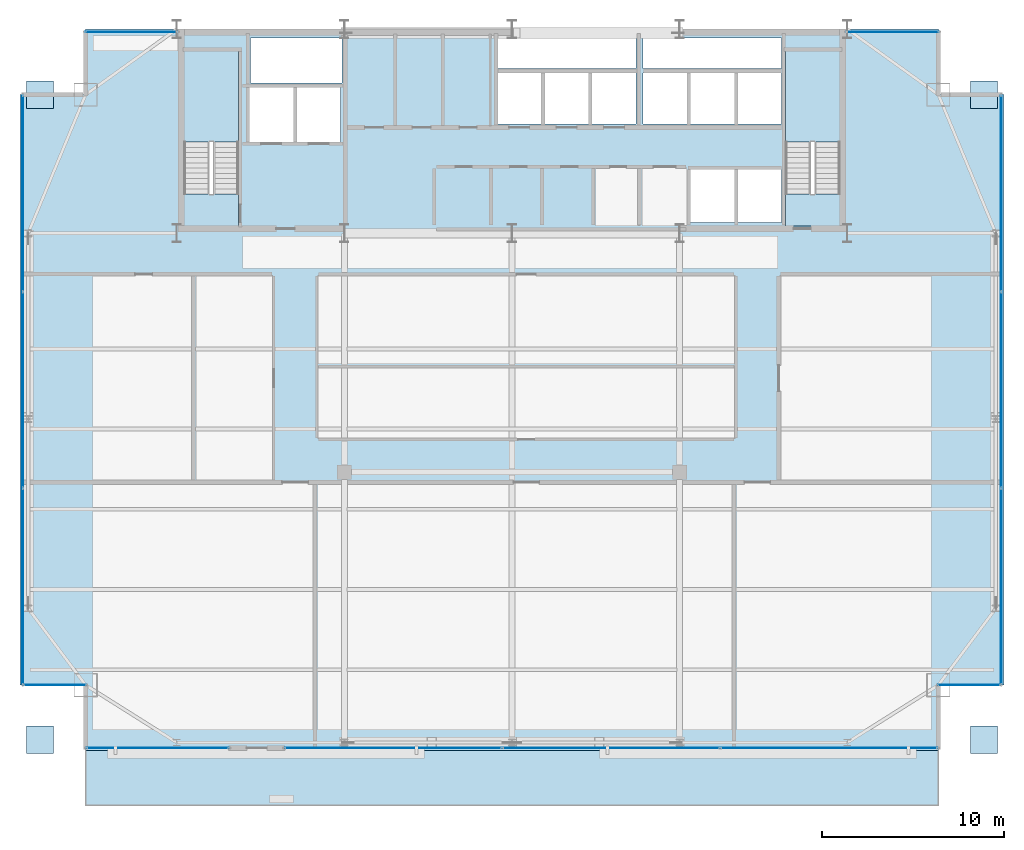
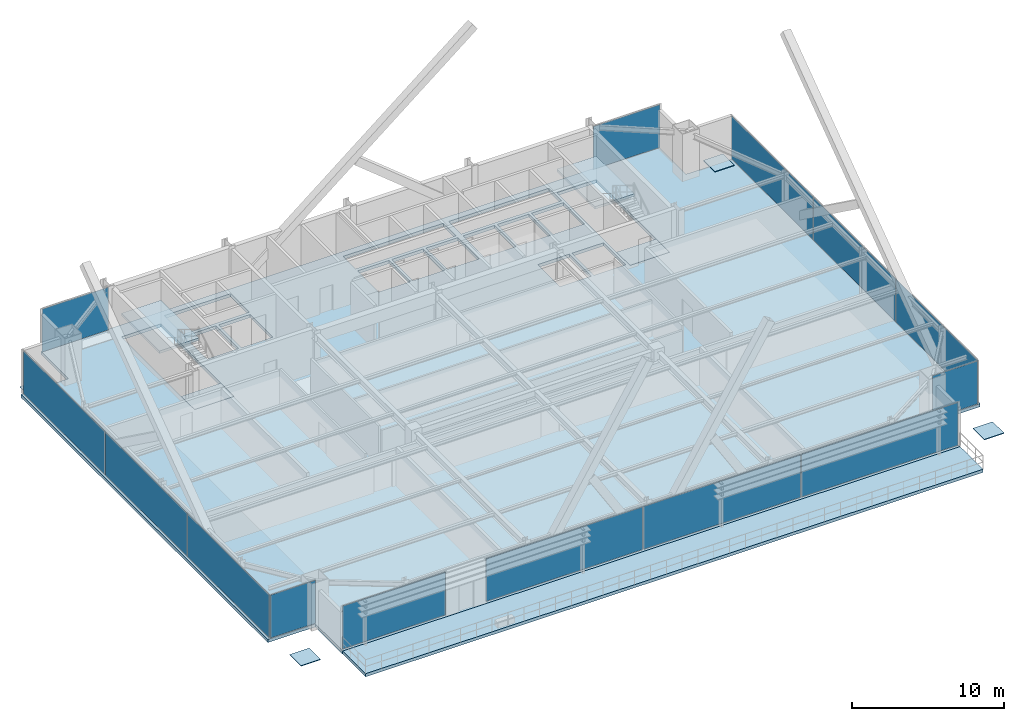
# One storey, part 26 of 33: 18 plates, 6 slabs, 10 elements without a shape of their own.
"""IFC4 building model written with IfcOpenShell, lengths in metres."""

from ifc_helpers import new_model, si_unit, direction, frame, origin, origin_2d, place, context, subcontext, project, spatial, polyline, rectangle, outline, extrude, source, transform, mapped, material, layer, layer_set, type_object, type_shapes, element, aggregate, save


model = new_model("IFC4")

# Units and contexts
model_context = context("Model", 3, precision=1e-05, world=origin(), true_north=direction((0.0, 1.0)))
body_context = subcontext(model_context, "Body", "Model", "MODEL_VIEW")
ifc_project = project(units=[si_unit("LENGTHUNIT", "METRE"), si_unit("AREAUNIT", "SQUARE_METRE"), si_unit("VOLUMEUNIT", "CUBIC_METRE"), si_unit("PLANEANGLEUNIT", "RADIAN"), si_unit("MASSUNIT", "GRAM", prefix="KILO")], contexts=[model_context])

# Site, building, storey
site_placement = place(None, origin())
site = spatial("IfcSite", under=ifc_project, at=site_placement, CompositionType="ELEMENT")
building_placement = place(site_placement, origin())
building = spatial("IfcBuilding", under=site, at=building_placement, Name="Varnel Quay Broadcast Tower", CompositionType="ELEMENT")
storey_placement = place(building_placement, frame((0.0, 0.0, 145.800048828125)))
storey = spatial("IfcBuildingStorey", under=building, at=storey_placement, Name="L35", CompositionType="ELEMENT", Elevation=145.800048828125)

# Slabs
ifc_material_1 = material(Name="Concrete CSA A23.3 C40/50", Category="concrete")
ifc_layer_1 = layer(ifc_material_1, 0.25, Name="Concrete CSA A23.3 C40/50")
ifc_layer_set_1 = layer_set([ifc_layer_1], Name="Concrete CSA A23.3 C40/50")
slab_type_1 = type_object("IfcSlabType", Name="Slab_ExtTerrace250", PredefinedType="FLOOR", material=ifc_layer_set_1)
slab_1_placement = place(storey_placement, frame((0.0, 0.0, -0.25)))
element("IfcSlab", 1, at=slab_1_placement, inside=storey, type_object=slab_type_1, Name="L35 Planted Lobe Terrace Slab 1", PredefinedType="FLOOR", context=body_context, shape_type="SweptSolid", body=[
    extrude(outline(polyline([(10.60009765625, 4.199951171875), (57.39990234375, 4.199951171875), (57.39990234375, 7.199951171875), (10.60009765625, 7.199951171875), (10.60009765625, 4.199951171875)])), origin(), (0.0, 0.0, 1.0), 0.25),
])
ifc_material_2 = material(Name="Concrete CSA A23.3 C50/60", Category="concrete")
ifc_layer_2 = layer(ifc_material_2, 0.25, Name="Concrete CSA A23.3 C50/60")
ifc_layer_set_2 = layer_set([ifc_layer_2], Name="Concrete CSA A23.3 C50/60")
slab_type_2 = type_object("IfcSlabType", Name="Slab_Floor250", PredefinedType="FLOOR", material=ifc_layer_set_2)
slab_2_placement = place(storey_placement, frame((0.0, 0.0, -0.25)))
element("IfcSlab", 2, at=slab_2_placement, inside=storey, type_object=slab_type_2, Name="L35 Structural Slab", PredefinedType="FLOOR", context=body_context, shape_type="SweptSolid", body=[
    extrude(outline(polyline([(10.60009765625, 7.199951171875), (57.39990234375, 7.199951171875), (57.39990234375, 10.800048828125), (61.0, 10.800048828125), (61.0, 43.199951171875), (57.39990234375, 43.199951171875), (57.39990234375, 46.800048828125), (10.60009765625, 46.800048828125), (10.60009765625, 43.199951171875), (7.0, 43.199951171875), (7.0, 10.800048828125), (10.60009765625, 10.800048828125), (10.60009765625, 7.199951171875)]), holes=[polyline([(19.0, 36.0), (16.0, 36.0), (16.0, 45.60009765625), (19.0, 45.60009765625), (19.0, 36.0)]), polyline([(19.60009765625, 43.60009765625), (22.0, 43.60009765625), (22.0, 40.60009765625), (19.60009765625, 40.60009765625), (19.60009765625, 43.60009765625)]), polyline([(22.199951171875, 43.60009765625), (24.60009765625, 43.60009765625), (24.60009765625, 40.60009765625), (22.199951171875, 40.60009765625), (22.199951171875, 43.60009765625)]), polyline([(33.199951171875, 44.39990234375), (35.60009765625, 44.39990234375), (35.60009765625, 41.60009765625), (33.199951171875, 41.60009765625), (33.199951171875, 44.39990234375)]), polyline([(35.800048828125, 44.39990234375), (38.199951171875, 44.39990234375), (38.199951171875, 41.60009765625), (35.800048828125, 41.60009765625), (35.800048828125, 44.39990234375)]), polyline([(38.39990234375, 44.39990234375), (40.800048828125, 44.39990234375), (40.800048828125, 41.60009765625), (38.39990234375, 41.60009765625), (38.39990234375, 44.39990234375)]), polyline([(19.64990234375, 46.300048828125), (24.679931640625, 46.300048828125), (24.679931640625, 43.85009765625), (19.64990234375, 43.85009765625), (19.64990234375, 46.300048828125)]), polyline([(33.199951171875, 46.300048828125), (40.800048828125, 46.300048828125), (40.800048828125, 44.64990234375), (33.199951171875, 44.64990234375), (33.199951171875, 46.300048828125)]), polyline([(43.800048828125, 39.10009765625), (46.199951171875, 39.10009765625), (46.199951171875, 36.199951171875), (43.800048828125, 36.199951171875), (43.800048828125, 39.10009765625)]), polyline([(46.39990234375, 39.10009765625), (48.800048828125, 39.10009765625), (48.800048828125, 36.199951171875), (46.39990234375, 36.199951171875), (46.39990234375, 39.10009765625)]), polyline([(49.0, 36.0), (49.0, 45.60009765625), (52.0, 45.60009765625), (52.0, 36.0), (49.0, 36.0)]), polyline([(41.199951171875, 44.39990234375), (43.60009765625, 44.39990234375), (43.60009765625, 41.60009765625), (41.199951171875, 41.60009765625), (41.199951171875, 44.39990234375)]), polyline([(43.800048828125, 44.39990234375), (46.199951171875, 44.39990234375), (46.199951171875, 41.60009765625), (43.800048828125, 41.60009765625), (43.800048828125, 44.39990234375)]), polyline([(46.39990234375, 44.39990234375), (48.800048828125, 44.39990234375), (48.800048828125, 41.60009765625), (46.39990234375, 41.60009765625), (46.39990234375, 44.39990234375)]), polyline([(41.199951171875, 46.300048828125), (48.800048828125, 46.300048828125), (48.800048828125, 44.64990234375), (41.199951171875, 44.64990234375), (41.199951171875, 46.300048828125)])]), origin(), (0.0, 0.0, 1.0), 0.25),
])
ifc_layer_3 = layer(ifc_material_2, 0.25, Name="Concrete CSA A23.3 C50/60")
ifc_layer_set_3 = layer_set([ifc_layer_3], Name="Concrete CSA A23.3 C50/60")
slab_type_3 = type_object("IfcSlabType", Name="Slab_StairFloorLanding250", PredefinedType="FLOOR", material=ifc_layer_set_3)
slab_3_placement = place(storey_placement, frame((0.0, 0.0, -0.25)))
element("IfcSlab", 3, at=slab_3_placement, inside=storey, type_object=slab_type_3, Name="L35 ST-01 Structural Floor Landing Slab", PredefinedType="FLOOR", context=body_context, shape_type="SweptSolid", body=[
    extrude(outline(polyline([(19.0, 36.0), (19.0, 37.75), (16.0, 37.75), (16.0, 36.0), (19.0, 36.0)])), origin(), (0.0, 0.0, 1.0), 0.25),
])
slab_4_placement = place(storey_placement, frame((0.0, 0.0, -0.25)))
element("IfcSlab", 4, at=slab_4_placement, inside=storey, type_object=slab_type_3, Name="L35 ST-02 Structural Floor Landing Slab", PredefinedType="FLOOR", context=body_context, shape_type="SweptSolid", body=[
    extrude(outline(polyline([(52.0, 36.0), (52.0, 37.75), (49.0, 37.75), (49.0, 36.0), (52.0, 36.0)])), origin(), (0.0, 0.0, 1.0), 0.25),
])

# Stair, slab
ifc_material_3 = material(Name="Precast Structural Concrete C40/50", Category="concrete")
stair_type_1 = type_object("IfcStairType", Name="Stair_ST-01", PredefinedType="HALF_TURN_STAIR", material=ifc_material_3)
stair_1_placement = place(storey_placement, origin())
stair_1 = element("IfcStair", 5, at=stair_1_placement, inside=storey, type_object=stair_type_1, Name="L35 West Core Exit Stair 1", PredefinedType="HALF_TURN_STAIR")
ifc_layer_4 = layer(ifc_material_3, 0.199951171875, Name="Precast Structural Concrete C40/50")
ifc_layer_set_4 = layer_set([ifc_layer_4], Name="Precast Structural Concrete C40/50")
slab_type_4 = type_object("IfcSlabType", Name="Slab_StairLanding200", PredefinedType="LANDING", material=ifc_layer_set_4)
slab_5_placement = place(storey_placement, frame((0.0, 0.0, 1.699951171875)))
slab_5 = element("IfcSlab", 6, at=slab_5_placement, type_object=slab_type_4, Name="ST-01 landing 1", PredefinedType="LANDING", context=body_context, shape_type="SweptSolid", body=[
    extrude(outline(polyline([(19.0, 40.60009765625), (19.0, 45.60009765625), (16.0, 45.60009765625), (16.0, 40.60009765625), (19.0, 40.60009765625)])), origin(), (0.0, 0.0, 1.0), 0.199951171875),
])
aggregate(stair_1, [slab_5])

stair_type_2 = type_object("IfcStairType", Name="Stair_ST-02", PredefinedType="HALF_TURN_STAIR", material=ifc_material_3)
stair_2_placement = place(storey_placement, origin())
stair_2 = element("IfcStair", 7, at=stair_2_placement, inside=storey, type_object=stair_type_2, Name="L35 East Core Exit Stair 2", PredefinedType="HALF_TURN_STAIR")
slab_6_placement = place(storey_placement, frame((0.0, 0.0, 1.699951171875)))
slab_6 = element("IfcSlab", 8, at=slab_6_placement, type_object=slab_type_4, Name="ST-02 landing 1", PredefinedType="LANDING", context=body_context, shape_type="SweptSolid", body=[
    extrude(outline(polyline([(52.0, 40.60009765625), (52.0, 45.60009765625), (49.0, 45.60009765625), (49.0, 40.60009765625), (52.0, 40.60009765625)])), origin(), (0.0, 0.0, 1.0), 0.199951171875),
])
aggregate(stair_2, [slab_6])

# Plates
ifc_material_4 = material(Name="Structural Steel CSA G40.21 350WT", Category="steel")
ifc_layer_5 = layer(ifc_material_4, 0.050048828125, Name="Structural Steel CSA G40.21 350WT")
ifc_layer_set_5 = layer_set([ifc_layer_5], Name="Structural Steel CSA G40.21 350WT")
plate_type_1 = type_object("IfcPlateType", Name="Plate_BasePlate", PredefinedType="SHEET", material=ifc_layer_set_5)
shared_shape_1 = source(origin(), body_context, "Body", "SweptSolid", [
    extrude(rectangle(XDim=1.489990234375, YDim=1.489990234375, at=origin_2d()), origin(), (0.0, 0.0, 1.0), 0.050048828125),
])
type_shapes(plate_type_1, [shared_shape_1])
for number, where, z_axis, x_axis, name in (
    (9, (8.10009765625, 7.800048828125, -0.0048828125), (0.0, 0.0, 1.0), (1.0, 0.0, 0.0), "L34 Hollow Column Top Cap Plate MC-SW"),
    (10, (59.89990234375, 7.800048828125, -0.0048828125), (0.0, 0.0, 1.0), (1.0, 0.0, 0.0), "L34 Hollow Column Top Cap Plate MC-SE"),
    (11, (59.89990234375, 43.199951171875, -0.0048828125), (0.0, 0.0, 1.0), (1.0, 0.0, 0.0), "L34 Hollow Column Top Cap Plate MC-NE"),
    (12, (8.10009765625, 43.199951171875, -0.0048828125), (0.0, 0.0, 1.0), (1.0, 0.0, 0.0), "L34 Hollow Column Top Cap Plate MC-NW"),
):
    element("IfcPlate", number, at=place(storey_placement, frame(where, z_axis=z_axis, x_axis=x_axis)), inside=storey, type_object=plate_type_1, Name=name, PredefinedType="SHEET", context=body_context, shape_type="MappedRepresentation", body=[
        mapped(shared_shape_1, transform((0.0, 0.0, 0.0), x_axis=(1.0, 0.0, 0.0), y_axis=(0.0, 1.0, 0.0), z_axis=(0.0, 0.0, 1.0), scale=1.0)),
    ])

# Curtain wall, plate
ifc_material_5 = material(Name="Anodised Bronze Aluminium 6063-T6", Category="aluminium")
ifc_layer_6 = layer(ifc_material_5, 0.18994140625, Name="Anodised Bronze Aluminium 6063-T6")
ifc_layer_set_6 = layer_set([ifc_layer_6], Name="Anodised Bronze Aluminium 6063-T6")
curtain_wall_type_1 = type_object("IfcCurtainWallType", Name="CW_NotchCorner", PredefinedType="NOTDEFINED", material=ifc_layer_set_6)
curtain_wall_1_placement = place(storey_placement, origin())
curtain_wall_1 = element("IfcCurtainWall", 13, at=curtain_wall_1_placement, inside=storey, type_object=curtain_wall_type_1, Name="L35 SW Notch Curtain Wall", PredefinedType="NOTDEFINED")
ifc_material_6 = material(Name="Triple-Glazed Bronze Low-E Architectural Glass", Category="glass")
ifc_layer_7 = layer(ifc_material_6, 0.028076171875, Name="Triple-Glazed Bronze Low-E Architectural Glass")
ifc_layer_set_7 = layer_set([ifc_layer_7], Name="Triple-Glazed Bronze Low-E Architectural Glass")
plate_type_2 = type_object("IfcPlateType", Name="Panel_CWS-04", PredefinedType="CURTAIN_PANEL", material=ifc_layer_set_7)
shared_shape_2 = source(origin(), body_context, "Body", "SweptSolid", [
    extrude(rectangle(XDim=3.409912109375, YDim=0.028076171875, at=origin_2d()), origin(), (0.0, 0.0, 1.0), 3.43994140625),
])
type_shapes(plate_type_2, [shared_shape_2])
plate_1_placement = place(storey_placement, frame((8.9150390625, 10.800048828125, 0.054931640625), z_axis=(0.0, 0.0, 1.0), x_axis=(1.0, 0.0, 0.0)))
plate_1 = element("IfcPlate", 14, at=plate_1_placement, type_object=plate_type_2, Name="CWS-04 panel 1.1", PredefinedType="CURTAIN_PANEL", context=body_context, shape_type="MappedRepresentation", body=[
    mapped(shared_shape_2, transform((0.0, 0.0, 0.0), x_axis=(1.0, 0.0, 0.0), y_axis=(0.0, 1.0, 0.0), z_axis=(0.0, 0.0, 1.0), scale=1.0)),
])
aggregate(curtain_wall_1, [plate_1])

curtain_wall_2_placement = place(storey_placement, origin())
curtain_wall_2 = element("IfcCurtainWall", 15, at=curtain_wall_2_placement, inside=storey, type_object=curtain_wall_type_1, Name="L35 SE Notch Curtain Wall", PredefinedType="NOTDEFINED")
plate_2_placement = place(storey_placement, frame((59.0849609375, 10.800048828125, 0.054931640625), z_axis=(0.0, 0.0, 1.0), x_axis=(1.0, 0.0, 0.0)))
plate_2 = element("IfcPlate", 16, at=plate_2_placement, type_object=plate_type_2, Name="CWS-04 panel 1.1", PredefinedType="CURTAIN_PANEL", context=body_context, shape_type="MappedRepresentation", body=[
    mapped(shared_shape_2, transform((0.0, 0.0, 0.0), x_axis=(1.0, 0.0, 0.0), y_axis=(0.0, 1.0, 0.0), z_axis=(0.0, 0.0, 1.0), scale=1.0)),
])
aggregate(curtain_wall_2, [plate_2])

ifc_layer_8 = layer(ifc_material_5, 0.18994140625, Name="Anodised Bronze Aluminium 6063-T6")
ifc_layer_set_8 = layer_set([ifc_layer_8], Name="Anodised Bronze Aluminium 6063-T6")
curtain_wall_type_2 = type_object("IfcCurtainWallType", Name="CW_UpperTower", PredefinedType="NOTDEFINED", material=ifc_layer_set_8)
curtain_wall_3_placement = place(storey_placement, origin())
curtain_wall_3 = element("IfcCurtainWall", 17, at=curtain_wall_3_placement, inside=storey, type_object=curtain_wall_type_2, Name="L35 South Unitised Curtain Wall 1", PredefinedType="NOTDEFINED")
ifc_layer_9 = layer(ifc_material_6, 0.030029296875, Name="Triple-Glazed Bronze Low-E Architectural Glass")
ifc_layer_set_9 = layer_set([ifc_layer_9], Name="Triple-Glazed Bronze Low-E Architectural Glass")
plate_type_3 = type_object("IfcPlateType", Name="Panel_CWS-03", PredefinedType="CURTAIN_PANEL", material=ifc_layer_set_9)
shared_shape_3 = source(origin(), body_context, "Body", "SweptSolid", [
    extrude(rectangle(XDim=7.7900390625, YDim=0.030029296875, at=origin_2d()), origin(), (0.0, 0.0, 1.0), 3.429931640625),
])
plate_3_placement = place(storey_placement, frame((14.56005859375, 7.35009765625, 0.06005859375), z_axis=(0.0, 0.0, 1.0), x_axis=(1.0, 0.0, 0.0)))
plate_3 = element("IfcPlate", 18, at=plate_3_placement, type_object=plate_type_3, Name="CWS-03 panel 1.1", PredefinedType="CURTAIN_PANEL", context=body_context, shape_type="MappedRepresentation", body=[
    mapped(shared_shape_3, transform((0.0, 0.0, 0.0), x_axis=(1.0, 0.0, 0.0), y_axis=(0.0, 1.0, 0.0), z_axis=(0.0, 0.0, 1.0), scale=1.0)),
])
aggregate(curtain_wall_3, [plate_3])

# Curtain wall, plates
curtain_wall_4_placement = place(storey_placement, origin())
curtain_wall_4 = element("IfcCurtainWall", 19, at=curtain_wall_4_placement, inside=storey, type_object=curtain_wall_type_2, Name="L35 South Unitised Curtain Wall 2", PredefinedType="NOTDEFINED")
ifc_material_7 = material(Name="Insulated Bronze Spandrel Glass", Category="glass")
ifc_layer_10 = layer(ifc_material_7, 0.030029296875, Name="Insulated Bronze Spandrel Glass")
ifc_layer_set_10 = layer_set([ifc_layer_10], Name="Insulated Bronze Spandrel Glass")
plate_type_4 = type_object("IfcPlateType", Name="PanelSp_CWS-03", PredefinedType="CURTAIN_PANEL", material=ifc_layer_set_10)
shared_shape_4 = source(origin(), body_context, "Body", "SweptSolid", [
    extrude(rectangle(XDim=11.875732421875, YDim=0.030029296875, at=origin_2d()), origin(), (0.0, 0.0, 1.0), 3.429931640625),
])
plate_4_placement = place(storey_placement, frame((27.48291015625, 7.35009765625, 0.06005859375), z_axis=(0.0, 0.0, 1.0), x_axis=(1.0, 0.0, 0.0)))
plate_4 = element("IfcPlate", 20, at=plate_4_placement, type_object=plate_type_4, Name="CWS-03 panel 1.1", PredefinedType="CURTAIN_PANEL", context=body_context, shape_type="MappedRepresentation", body=[
    mapped(shared_shape_4, transform((0.0, 0.0, 0.0), x_axis=(1.0, 0.0, 0.0), y_axis=(0.0, 1.0, 0.0), z_axis=(0.0, 0.0, 1.0), scale=1.0)),
])
shared_shape_5 = source(origin(), body_context, "Body", "SweptSolid", [
    extrude(rectangle(XDim=11.908447265625, YDim=0.030029296875, at=origin_2d()), origin(), (0.0, 0.0, 1.0), 3.429931640625),
])
plate_5_placement = place(storey_placement, frame((39.43994140625, 7.35009765625, 0.06005859375), z_axis=(0.0, 0.0, 1.0), x_axis=(1.0, 0.0, 0.0)))
plate_5 = element("IfcPlate", 21, at=plate_5_placement, type_object=plate_type_4, Name="CWS-03 panel 2.1", PredefinedType="CURTAIN_PANEL", context=body_context, shape_type="MappedRepresentation", body=[
    mapped(shared_shape_5, transform((0.0, 0.0, 0.0), x_axis=(1.0, 0.0, 0.0), y_axis=(0.0, 1.0, 0.0), z_axis=(0.0, 0.0, 1.0), scale=1.0)),
])
shared_shape_6 = source(origin(), body_context, "Body", "SweptSolid", [
    extrude(rectangle(XDim=11.875732421875, YDim=0.030029296875, at=origin_2d()), origin(), (0.0, 0.0, 1.0), 3.429931640625),
])
plate_6_placement = place(storey_placement, frame((51.39697265625, 7.35009765625, 0.06005859375), z_axis=(0.0, 0.0, 1.0), x_axis=(1.0, 0.0, 0.0)))
plate_6 = element("IfcPlate", 22, at=plate_6_placement, type_object=plate_type_3, Name="CWS-03 panel 3.1", PredefinedType="CURTAIN_PANEL", context=body_context, shape_type="MappedRepresentation", body=[
    mapped(shared_shape_6, transform((0.0, 0.0, 0.0), x_axis=(1.0, 0.0, 0.0), y_axis=(0.0, 1.0, 0.0), z_axis=(0.0, 0.0, 1.0), scale=1.0)),
])
aggregate(curtain_wall_4, [plate_4, plate_5, plate_6])

curtain_wall_5_placement = place(storey_placement, origin())
curtain_wall_5 = element("IfcCurtainWall", 23, at=curtain_wall_5_placement, inside=storey, type_object=curtain_wall_type_2, Name="L35 West Unitised Curtain Wall", PredefinedType="NOTDEFINED")
shared_shape_7 = source(origin(), body_context, "Body", "SweptSolid", [
    extrude(rectangle(XDim=10.702392578125, YDim=0.030029296875, at=origin_2d()), origin(), (0.0, 0.0, 1.0), 3.429931640625),
])
plate_7_placement = place(storey_placement, frame((7.14990234375, 16.21630859375, 0.06005859375), z_axis=(0.0, 0.0, 1.0), x_axis=(0.0, 1.0, 0.0)))
plate_7 = element("IfcPlate", 24, at=plate_7_placement, type_object=plate_type_4, Name="CWS-03 panel 1.1", PredefinedType="CURTAIN_PANEL", context=body_context, shape_type="MappedRepresentation", body=[
    mapped(shared_shape_7, transform((0.0, 0.0, 0.0), x_axis=(1.0, 0.0, 0.0), y_axis=(0.0, 1.0, 0.0), z_axis=(0.0, 0.0, 1.0), scale=1.0)),
])
plate_8_placement = place(storey_placement, frame((7.14990234375, 37.78369140625, 0.06005859375), z_axis=(0.0, 0.0, 1.0), x_axis=(0.0, 1.0, 0.0)))
plate_8 = element("IfcPlate", 25, at=plate_8_placement, type_object=plate_type_4, Name="CWS-03 panel 3.1", PredefinedType="CURTAIN_PANEL", context=body_context, shape_type="MappedRepresentation", body=[
    mapped(shared_shape_7, transform((0.0, 0.0, 0.0), x_axis=(1.0, 0.0, 0.0), y_axis=(0.0, 1.0, 0.0), z_axis=(0.0, 0.0, 1.0), scale=1.0)),
])

curtain_wall_6_placement = place(storey_placement, origin())
curtain_wall_6 = element("IfcCurtainWall", 26, at=curtain_wall_6_placement, inside=storey, type_object=curtain_wall_type_2, Name="L35 East Unitised Curtain Wall", PredefinedType="NOTDEFINED")
plate_9_placement = place(storey_placement, frame((60.85009765625, 16.21630859375, 0.06005859375), z_axis=(0.0, 0.0, 1.0), x_axis=(0.0, 1.0, 0.0)))
plate_9 = element("IfcPlate", 27, at=plate_9_placement, type_object=plate_type_4, Name="CWS-03 panel 1.1", PredefinedType="CURTAIN_PANEL", context=body_context, shape_type="MappedRepresentation", body=[
    mapped(shared_shape_7, transform((0.0, 0.0, 0.0), x_axis=(1.0, 0.0, 0.0), y_axis=(0.0, 1.0, 0.0), z_axis=(0.0, 0.0, 1.0), scale=1.0)),
])
plate_10_placement = place(storey_placement, frame((60.85009765625, 37.78369140625, 0.06005859375), z_axis=(0.0, 0.0, 1.0), x_axis=(0.0, 1.0, 0.0)))
plate_10 = element("IfcPlate", 28, at=plate_10_placement, type_object=plate_type_4, Name="CWS-03 panel 3.1", PredefinedType="CURTAIN_PANEL", context=body_context, shape_type="MappedRepresentation", body=[
    mapped(shared_shape_7, transform((0.0, 0.0, 0.0), x_axis=(1.0, 0.0, 0.0), y_axis=(0.0, 1.0, 0.0), z_axis=(0.0, 0.0, 1.0), scale=1.0)),
])

# Plate
shared_shape_8 = source(origin(), body_context, "Body", "SweptSolid", [
    extrude(rectangle(XDim=10.735107421875, YDim=0.030029296875, at=origin_2d()), origin(), (0.0, 0.0, 1.0), 3.429931640625),
])
type_shapes(plate_type_4, [shared_shape_4, shared_shape_5, shared_shape_7, shared_shape_8])
plate_11_placement = place(storey_placement, frame((7.14990234375, 27.0, 0.06005859375), z_axis=(0.0, 0.0, 1.0), x_axis=(0.0, 1.0, 0.0)))
plate_11 = element("IfcPlate", 29, at=plate_11_placement, type_object=plate_type_4, Name="CWS-03 panel 2.1", PredefinedType="CURTAIN_PANEL", context=body_context, shape_type="MappedRepresentation", body=[
    mapped(shared_shape_8, transform((0.0, 0.0, 0.0), x_axis=(1.0, 0.0, 0.0), y_axis=(0.0, 1.0, 0.0), z_axis=(0.0, 0.0, 1.0), scale=1.0)),
])

aggregate(curtain_wall_5, [plate_7, plate_11, plate_8])

plate_12_placement = place(storey_placement, frame((60.85009765625, 27.0, 0.06005859375), z_axis=(0.0, 0.0, 1.0), x_axis=(0.0, 1.0, 0.0)))
plate_12 = element("IfcPlate", 30, at=plate_12_placement, type_object=plate_type_4, Name="CWS-03 panel 2.1", PredefinedType="CURTAIN_PANEL", context=body_context, shape_type="MappedRepresentation", body=[
    mapped(shared_shape_8, transform((0.0, 0.0, 0.0), x_axis=(1.0, 0.0, 0.0), y_axis=(0.0, 1.0, 0.0), z_axis=(0.0, 0.0, 1.0), scale=1.0)),
])

aggregate(curtain_wall_6, [plate_9, plate_12, plate_10])

# Curtain wall, plate
curtain_wall_7_placement = place(storey_placement, origin())
curtain_wall_7 = element("IfcCurtainWall", 31, at=curtain_wall_7_placement, inside=storey, type_object=curtain_wall_type_2, Name="L35 NW Wing Curtain Wall", PredefinedType="NOTDEFINED")
shared_shape_9 = source(origin(), body_context, "Body", "SweptSolid", [
    extrude(rectangle(XDim=5.050048828125, YDim=0.030029296875, at=origin_2d()), origin(), (0.0, 0.0, 1.0), 3.429931640625),
])
type_shapes(plate_type_3, [shared_shape_3, shared_shape_6, shared_shape_9])
plate_13_placement = place(storey_placement, frame((13.110107421875, 46.64990234375, 0.06005859375), z_axis=(0.0, 0.0, 1.0), x_axis=(1.0, 0.0, 0.0)))
plate_13 = element("IfcPlate", 32, at=plate_13_placement, type_object=plate_type_3, Name="CWS-03 panel 1.1", PredefinedType="CURTAIN_PANEL", context=body_context, shape_type="MappedRepresentation", body=[
    mapped(shared_shape_9, transform((0.0, 0.0, 0.0), x_axis=(1.0, 0.0, 0.0), y_axis=(0.0, 1.0, 0.0), z_axis=(0.0, 0.0, 1.0), scale=1.0)),
])
aggregate(curtain_wall_7, [plate_13])

curtain_wall_8_placement = place(storey_placement, origin())
curtain_wall_8 = element("IfcCurtainWall", 33, at=curtain_wall_8_placement, inside=storey, type_object=curtain_wall_type_2, Name="L35 NE Wing Curtain Wall", PredefinedType="NOTDEFINED")
plate_14_placement = place(storey_placement, frame((54.889892578125, 46.64990234375, 0.06005859375), z_axis=(0.0, 0.0, 1.0), x_axis=(1.0, 0.0, 0.0)))
plate_14 = element("IfcPlate", 34, at=plate_14_placement, type_object=plate_type_3, Name="CWS-03 panel 1.1", PredefinedType="CURTAIN_PANEL", context=body_context, shape_type="MappedRepresentation", body=[
    mapped(shared_shape_9, transform((0.0, 0.0, 0.0), x_axis=(1.0, 0.0, 0.0), y_axis=(0.0, 1.0, 0.0), z_axis=(0.0, 0.0, 1.0), scale=1.0)),
])
aggregate(curtain_wall_8, [plate_14])

save(model, "model.ifc")
